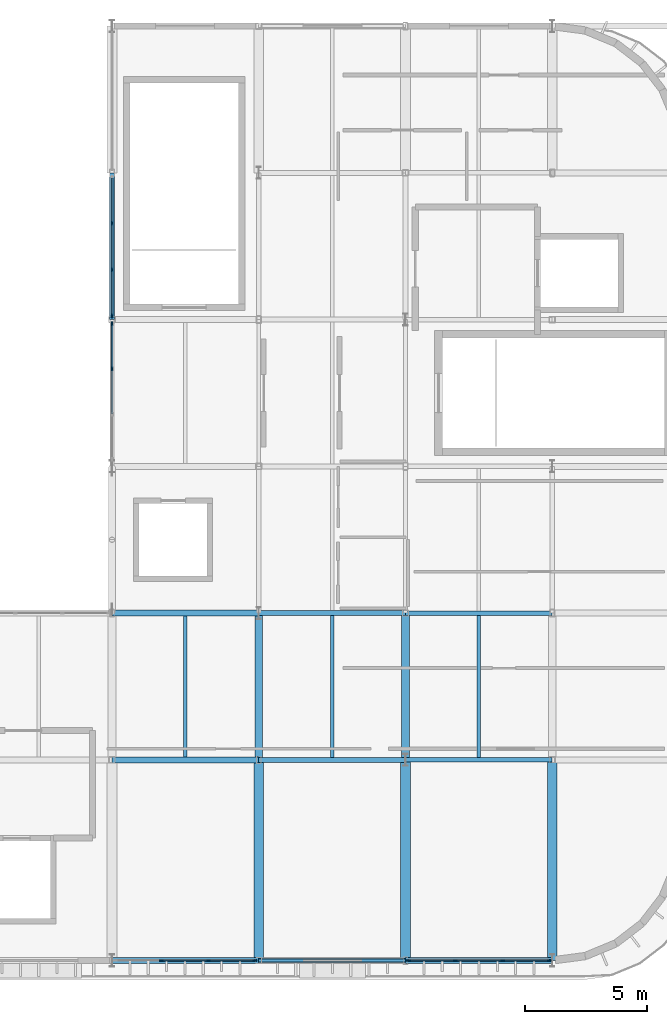
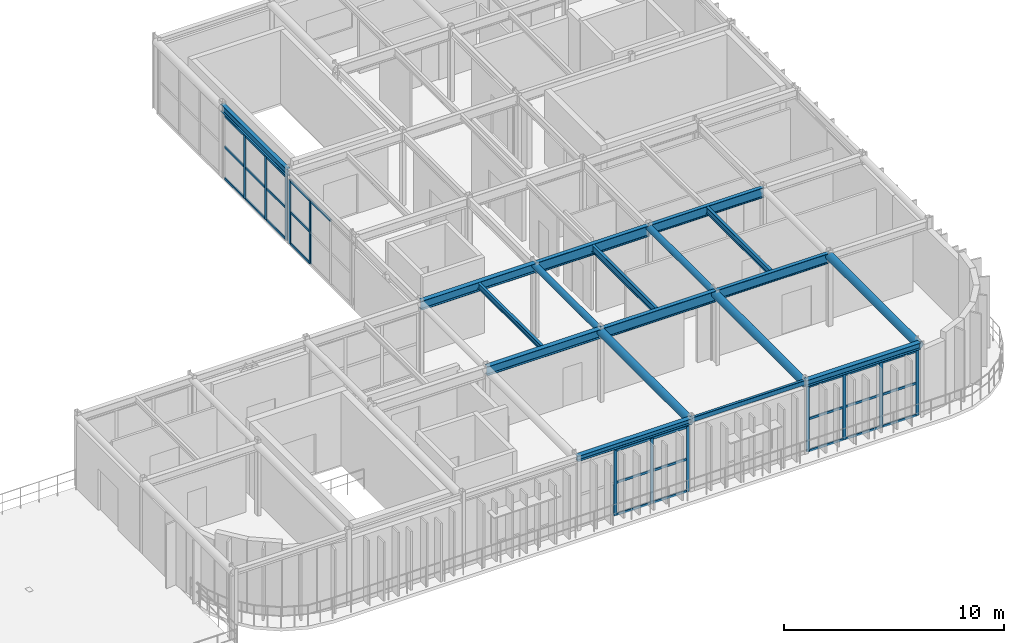
# One storey, part 5 of 14: 40 members, 18 beams, 4 elements without a shape of their own.
"""IFC4 building model written with IfcOpenShell, lengths in metres."""

from ifc_helpers import new_model, si_unit, direction, frame, origin, origin_2d, place, context, subcontext, project, spatial, rectangle, hollow_rectangle, hollow_circle, i_section, extrude, material, material_profile, profile_set, type_object, element, aggregate, save


model = new_model("IFC4")

# Units and contexts
model_context = context("Model", 3, precision=1e-05, world=origin(), true_north=direction((0.0, 1.0)))
body_context = subcontext(model_context, "Body", "Model", "MODEL_VIEW")
ifc_project = project(units=[si_unit("LENGTHUNIT", "METRE"), si_unit("AREAUNIT", "SQUARE_METRE"), si_unit("VOLUMEUNIT", "CUBIC_METRE"), si_unit("PLANEANGLEUNIT", "RADIAN"), si_unit("MASSUNIT", "GRAM", prefix="KILO")], contexts=[model_context])

# Site, building, storey
site_placement = place(None, origin())
site = spatial("IfcSite", under=ifc_project, at=site_placement, CompositionType="ELEMENT")
building_placement = place(site_placement, origin())
building = spatial("IfcBuilding", under=site, at=building_placement, Name="Varnakota Square Police Headquarters", CompositionType="ELEMENT")
storey_placement = place(building_placement, frame((0.0, 0.0, 30.0)))
storey = spatial("IfcBuildingStorey", under=building, at=storey_placement, Name="L07", CompositionType="ELEMENT", Elevation=30.0)

# Beams
ifc_material_1 = material(Name="Steel IS 2062 Grade 350", Category="steel")
ifc_material_profile_1 = material_profile(ifc_material_1, hollow_circle(Radius=0.161865234375, WallThickness=0.0126953125, at=origin_2d()), Name="CHS 323.9x12.7")
ifc_profile_set_1 = profile_set([ifc_material_profile_1], Name="Steel IS 2062 Grade 350")
beam_type_1 = type_object("IfcBeamType", Name="BM-ARC-CHS324", PredefinedType="BEAM", material=ifc_profile_set_1)
for number, where, z_axis, x_axis, name in (
    (1, (144.0, 9.0, 3.878173828125), (0.0, 1.0, 0.0), (-1.0, 0.0, 0.0), "BMG-L07-3434"),
    (2, (150.0, 9.0, 3.878173828125), (0.0, 1.0, 0.0), (-1.0, 0.0, 0.0), "BMG-L07-3440"),
):
    element("IfcBeam", number, at=place(storey_placement, frame(where, z_axis=z_axis, x_axis=x_axis)), inside=storey, type_object=beam_type_1, Name=name, PredefinedType="BEAM", context=body_context, shape_type="SweptSolid", body=[
        extrude(hollow_circle(Radius=0.161865234375, WallThickness=0.0126953125, at=origin_2d()), origin(), (0.0, 0.0, 1.0), 6.0),
    ])
ifc_material_profile_2 = material_profile(ifc_material_1, hollow_circle(Radius=0.203125, WallThickness=0.01611328125, at=origin_2d()), Name="CHS 406.4x16.0")
ifc_profile_set_2 = profile_set([ifc_material_profile_2], Name="Steel IS 2062 Grade 350")
beam_type_2 = type_object("IfcBeamType", Name="BM-ARC-CHS406", PredefinedType="BEAM", material=ifc_profile_set_2)
for number, where, z_axis, x_axis, name in (
    (3, (144.0, 0.800048828125, 3.8369140625), (0.0, 1.0, 0.0), (-1.0, 0.0, 0.0), "BMG-L07-3433"),
    (4, (150.0, 0.800048828125, 3.8369140625), (0.0, 1.0, 0.0), (-1.0, 0.0, 0.0), "BMG-L07-3439"),
    (5, (156.0, 0.800048828125, 3.8369140625), (0.0, 1.0, 0.0), (-1.0, 0.0, 0.0), "BMG-L07-3445"),
):
    element("IfcBeam", number, at=place(storey_placement, frame(where, z_axis=z_axis, x_axis=x_axis)), inside=storey, type_object=beam_type_2, Name=name, PredefinedType="BEAM", context=body_context, shape_type="SweptSolid", body=[
        extrude(hollow_circle(Radius=0.203125, WallThickness=0.01611328125, at=origin_2d()), origin(), (0.0, 0.0, 1.0), 8.199951171875),
    ])
ifc_material_profile_3 = material_profile(ifc_material_1, hollow_rectangle(XDim=0.14990234375, YDim=0.25, WallThickness=0.010009765625, InnerFilletRadius=0.010009765625, OuterFilletRadius=0.02001953125, at=origin_2d()), Name="RHS 250x150x10")
ifc_profile_set_3 = profile_set([ifc_material_profile_3], Name="Steel IS 2062 Grade 350")
beam_type_3 = type_object("IfcBeamType", Name="BM-CBEAM-RHS250", PredefinedType="BEAM", material=ifc_profile_set_3)
beam_1_placement = place(storey_placement, frame((144.0, 0.800048828125, 3.9150390625), z_axis=(1.0, 0.0, 0.0), x_axis=(0.0, 1.0, 0.0)))
element("IfcBeam", 6, at=beam_1_placement, inside=storey, type_object=beam_type_3, Name="BMG-L07-3391", PredefinedType="BEAM", context=body_context, shape_type="SweptSolid", body=[
    extrude(hollow_rectangle(XDim=0.14990234375, YDim=0.25, WallThickness=0.010009765625, InnerFilletRadius=0.010009765625, OuterFilletRadius=0.02001953125, at=origin_2d()), origin(), (0.0, 0.0, 1.0), 6.0),
])
ifc_material_profile_4 = material_profile(ifc_material_1, i_section(OverallWidth=0.25, OverallDepth=0.300048828125, WebThickness=0.009521484375, FlangeThickness=0.010498046875, FilletRadius=0.011962890625, at=origin_2d()), Name="ISHB 300")
ifc_profile_set_4 = profile_set([ifc_material_profile_4], Name="Steel IS 2062 Grade 350")
beam_type_4 = type_object("IfcBeamType", Name="BM-ISHB300", PredefinedType="BEAM", material=ifc_profile_set_4)
beam_2_placement = place(storey_placement, frame((138.0, 0.800048828125, 3.889892578125), z_axis=(1.0, 0.0, 0.0), x_axis=(0.0, 1.0, 0.0)))
element("IfcBeam", 7, at=beam_2_placement, inside=storey, type_object=beam_type_4, Name="BMG-L07-3390", PredefinedType="BEAM", context=body_context, shape_type="SweptSolid", body=[
    extrude(i_section(OverallWidth=0.25, OverallDepth=0.300048828125, WebThickness=0.009521484375, FlangeThickness=0.010498046875, FilletRadius=0.011962890625, at=origin_2d()), origin(), (0.0, 0.0, 1.0), 6.0),
])
ifc_material_profile_5 = material_profile(ifc_material_1, i_section(OverallWidth=0.25, OverallDepth=0.35009765625, WebThickness=0.010009765625, FlangeThickness=0.01171875, FilletRadius=0.011962890625, at=origin_2d()), Name="ISHB 350")
ifc_profile_set_5 = profile_set([ifc_material_profile_5], Name="Steel IS 2062 Grade 350")
beam_type_5 = type_object("IfcBeamType", Name="BM-ISHB350", PredefinedType="BEAM", material=ifc_profile_set_5)
beam_3_placement = place(storey_placement, frame((150.0, 0.800048828125, 3.864990234375), z_axis=(1.0, 0.0, 0.0), x_axis=(0.0, 1.0, 0.0)))
element("IfcBeam", 8, at=beam_3_placement, inside=storey, type_object=beam_type_5, Name="BMG-L07-3392", PredefinedType="BEAM", context=body_context, shape_type="SweptSolid", body=[
    extrude(i_section(OverallWidth=0.25, OverallDepth=0.35009765625, WebThickness=0.010009765625, FlangeThickness=0.01171875, FilletRadius=0.011962890625, at=origin_2d()), origin(), (0.0, 0.0, 1.0), 6.0),
])
ifc_material_profile_6 = material_profile(ifc_material_1, i_section(OverallWidth=0.139892578125, OverallDepth=0.300048828125, WebThickness=0.0078125, FlangeThickness=0.01318359375, FilletRadius=0.013916015625, at=origin_2d()), Name="ISMB 300")
ifc_profile_set_6 = profile_set([ifc_material_profile_6], Name="Steel IS 2062 Grade 350")
beam_type_6 = type_object("IfcBeamType", Name="BM-ISMB300", PredefinedType="JOIST", material=ifc_profile_set_6)
beam_4_placement = place(storey_placement, frame((141.0, 9.123046875, 3.889892578125), z_axis=(0.0, 1.0, 0.0), x_axis=(-1.0, 0.0, 0.0)))
element("IfcBeam", 9, at=beam_4_placement, inside=storey, type_object=beam_type_6, Name="BMG-L07-3456", PredefinedType="JOIST", context=body_context, shape_type="SweptSolid", body=[
    extrude(i_section(OverallWidth=0.139892578125, OverallDepth=0.300048828125, WebThickness=0.0078125, FlangeThickness=0.01318359375, FilletRadius=0.013916015625, at=origin_2d()), origin(), (0.0, 0.0, 1.0), 5.75390625),
])
ifc_material_profile_7 = material_profile(ifc_material_1, i_section(OverallWidth=0.139892578125, OverallDepth=0.35009765625, WebThickness=0.008056640625, FlangeThickness=0.01416015625, FilletRadius=0.013916015625, at=origin_2d()), Name="ISMB 350")
ifc_profile_set_7 = profile_set([ifc_material_profile_7], Name="Steel IS 2062 Grade 350")
beam_type_7 = type_object("IfcBeamType", Name="BM-ISMB350", PredefinedType="JOIST", material=ifc_profile_set_7)
beam_5_placement = place(storey_placement, frame((153.0, 9.093017578125, 3.864990234375), z_axis=(0.0, 1.0, 0.0), x_axis=(-1.0, 0.0, 0.0)))
element("IfcBeam", 10, at=beam_5_placement, inside=storey, type_object=beam_type_7, Name="BMG-L07-3463", PredefinedType="JOIST", context=body_context, shape_type="SweptSolid", body=[
    extrude(i_section(OverallWidth=0.139892578125, OverallDepth=0.35009765625, WebThickness=0.008056640625, FlangeThickness=0.01416015625, FilletRadius=0.013916015625, at=origin_2d()), origin(), (0.0, 0.0, 1.0), 5.81396484375),
])
ifc_material_profile_8 = material_profile(ifc_material_1, i_section(OverallWidth=0.139892578125, OverallDepth=0.39990234375, WebThickness=0.0087890625, FlangeThickness=0.01611328125, FilletRadius=0.013916015625, at=origin_2d()), Name="ISMB 400")
ifc_profile_set_8 = profile_set([ifc_material_profile_8], Name="Steel IS 2062 Grade 350")
beam_type_8 = type_object("IfcBeamType", Name="BM-ISMB400", PredefinedType="JOIST", material=ifc_profile_set_8)
beam_6_placement = place(storey_placement, frame((147.0, 9.10302734375, 3.840087890625), z_axis=(0.0, 1.0, 0.0), x_axis=(-1.0, 0.0, 0.0)))
element("IfcBeam", 11, at=beam_6_placement, inside=storey, type_object=beam_type_8, Name="BMG-L07-3458", PredefinedType="JOIST", context=body_context, shape_type="SweptSolid", body=[
    extrude(i_section(OverallWidth=0.139892578125, OverallDepth=0.39990234375, WebThickness=0.0087890625, FlangeThickness=0.01611328125, FilletRadius=0.013916015625, at=origin_2d()), origin(), (0.0, 0.0, 1.0), 5.7939453125),
])
ifc_material_profile_9 = material_profile(ifc_material_1, i_section(OverallWidth=0.18994140625, OverallDepth=0.550048828125, WebThickness=0.01123046875, FlangeThickness=0.019287109375, FilletRadius=0.01806640625, at=origin_2d()), Name="ISMB 550")
ifc_profile_set_9 = profile_set([ifc_material_profile_9], Name="Steel IS 2062 Grade 350")
beam_type_9 = type_object("IfcBeamType", Name="BM-ISMB550", PredefinedType="BEAM", material=ifc_profile_set_9)
for number, where, z_axis, x_axis, name in (
    (12, (150.0, 9.0, 3.764892578125), (1.0, 0.0, 0.0), (0.0, 1.0, 0.0), "BMG-L07-3397"),
    (13, (150.0, 15.0, 3.764892578125), (1.0, 0.0, 0.0), (0.0, 1.0, 0.0), "BMG-L07-3404"),
):
    element("IfcBeam", number, at=place(storey_placement, frame(where, z_axis=z_axis, x_axis=x_axis)), inside=storey, type_object=beam_type_9, Name=name, PredefinedType="BEAM", context=body_context, shape_type="SweptSolid", body=[
        extrude(i_section(OverallWidth=0.18994140625, OverallDepth=0.550048828125, WebThickness=0.01123046875, FlangeThickness=0.019287109375, FilletRadius=0.01806640625, at=origin_2d()), origin(), (0.0, 0.0, 1.0), 6.0),
    ])
ifc_material_profile_10 = material_profile(ifc_material_1, i_section(OverallWidth=0.2099609375, OverallDepth=0.60009765625, WebThickness=0.011962890625, FlangeThickness=0.020751953125, FilletRadius=0.02001953125, at=origin_2d()), Name="ISMB 600")
ifc_profile_set_10 = profile_set([ifc_material_profile_10], Name="Steel IS 2062 Grade 350")
beam_type_10 = type_object("IfcBeamType", Name="BM-ISMB600", PredefinedType="BEAM", material=ifc_profile_set_10)
for number, where, z_axis, x_axis, name in (
    (14, (144.0, 9.0, 3.739990234375), (1.0, 0.0, 0.0), (0.0, 1.0, 0.0), "BMG-L07-3396"),
    (15, (144.0, 15.0, 3.739990234375), (1.0, 0.0, 0.0), (0.0, 1.0, 0.0), "BMG-L07-3403"),
):
    element("IfcBeam", number, at=place(storey_placement, frame(where, z_axis=z_axis, x_axis=x_axis)), inside=storey, type_object=beam_type_10, Name=name, PredefinedType="BEAM", context=body_context, shape_type="SweptSolid", body=[
        extrude(i_section(OverallWidth=0.2099609375, OverallDepth=0.60009765625, WebThickness=0.011962890625, FlangeThickness=0.020751953125, FilletRadius=0.02001953125, at=origin_2d()), origin(), (0.0, 0.0, 1.0), 6.0),
    ])
ifc_material_profile_11 = material_profile(ifc_material_1, i_section(OverallWidth=0.199951171875, OverallDepth=0.39990234375, WebThickness=0.008544921875, FlangeThickness=0.012939453125, FilletRadius=0.012939453125, at=origin_2d()), Name="ISWB 400")
ifc_profile_set_11 = profile_set([ifc_material_profile_11], Name="Steel IS 2062 Grade 350")
beam_type_11 = type_object("IfcBeamType", Name="BM-ISWB400", PredefinedType="BEAM", material=ifc_profile_set_11)
beam_7_placement = place(storey_placement, frame((138.0, 27.0, 3.840087890625), z_axis=(0.0, 1.0, 0.0), x_axis=(-1.0, 0.0, 0.0)))
element("IfcBeam", 16, at=beam_7_placement, inside=storey, type_object=beam_type_11, Name="BMG-L07-3431", PredefinedType="BEAM", context=body_context, shape_type="SweptSolid", body=[
    extrude(i_section(OverallWidth=0.199951171875, OverallDepth=0.39990234375, WebThickness=0.008544921875, FlangeThickness=0.012939453125, FilletRadius=0.012939453125, at=origin_2d()), origin(), (0.0, 0.0, 1.0), 6.0),
])
ifc_material_profile_12 = material_profile(ifc_material_1, i_section(OverallWidth=0.25, OverallDepth=0.5, WebThickness=0.010009765625, FlangeThickness=0.0146484375, FilletRadius=0.014892578125, at=origin_2d()), Name="ISWB 500")
ifc_profile_set_12 = profile_set([ifc_material_profile_12], Name="Steel IS 2062 Grade 350")
beam_type_12 = type_object("IfcBeamType", Name="BM-ISWB500", PredefinedType="BEAM", material=ifc_profile_set_12)
for number, where, z_axis, x_axis, name in (
    (17, (138.0, 9.0, 3.7900390625), (1.0, 0.0, 0.0), (0.0, 1.0, 0.0), "BMG-L07-3395"),
    (18, (138.0, 15.0, 3.7900390625), (1.0, 0.0, 0.0), (0.0, 1.0, 0.0), "BMG-L07-3402"),
):
    element("IfcBeam", number, at=place(storey_placement, frame(where, z_axis=z_axis, x_axis=x_axis)), inside=storey, type_object=beam_type_12, Name=name, PredefinedType="BEAM", context=body_context, shape_type="SweptSolid", body=[
        extrude(i_section(OverallWidth=0.25, OverallDepth=0.5, WebThickness=0.010009765625, FlangeThickness=0.0146484375, FilletRadius=0.014892578125, at=origin_2d()), origin(), (0.0, 0.0, 1.0), 6.0),
    ])

# Curtain wall, members
ifc_material_2 = material(Name="Anodised Aluminium Framing", Category="aluminium")
curtain_wall_type_1 = type_object("IfcCurtainWallType", Name="CW-SYS-F", PredefinedType="NOTDEFINED", material=ifc_material_2)
curtain_wall_1_placement = place(storey_placement, origin())
curtain_wall_1 = element("IfcCurtainWall", 19, at=curtain_wall_1_placement, inside=storey, type_object=curtain_wall_type_1, Name="Unitised curtain wall CWG-L07-120", PredefinedType="NOTDEFINED")
ifc_material_3 = material(Name="Anodised Aluminium 6063-T6", Category="aluminium")
ifc_material_profile_13 = material_profile(ifc_material_3, rectangle(XDim=0.06494140625, YDim=0.159912109375, at=origin_2d()), Name="ALU MULLION 65x160")
ifc_profile_set_13 = profile_set([ifc_material_profile_13], Name="Anodised Aluminium 6063-T6")
member_type_1 = type_object("IfcMemberType", Name="CWM-150", PredefinedType="MULLION", material=ifc_profile_set_13)
member_1_placement = place(storey_placement, frame((140.02001953125, 0.800048828125, 0.0), z_axis=(0.0, 0.0, 1.0), x_axis=(0.0, 1.0, 0.0)))
member_1 = element("IfcMember", 20, at=member_1_placement, type_object=member_type_1, Name="CWG-L07-120 mullion 2", PredefinedType="MULLION", context=body_context, shape_type="SweptSolid", body=[
    extrude(rectangle(XDim=0.06494140625, YDim=0.159912109375, at=origin_2d()), origin(), (0.0, 0.0, 1.0), 3.62353515625),
])
member_2_placement = place(storey_placement, frame((141.945068359375, 0.800048828125, 0.0), z_axis=(0.0, 0.0, 1.0), x_axis=(0.0, 1.0, 0.0)))
member_2 = element("IfcMember", 21, at=member_2_placement, type_object=member_type_1, Name="CWG-L07-120 mullion 3", PredefinedType="MULLION", context=body_context, shape_type="SweptSolid", body=[
    extrude(rectangle(XDim=0.06494140625, YDim=0.159912109375, at=origin_2d()), origin(), (0.0, 0.0, 1.0), 3.62353515625),
])
member_3_placement = place(storey_placement, frame((143.83740234375, 0.800048828125, 0.0), z_axis=(0.0, 0.0, 1.0), x_axis=(0.0, 1.0, 0.0)))
member_3 = element("IfcMember", 22, at=member_3_placement, type_object=member_type_1, Name="CWG-L07-120 mullion 4", PredefinedType="MULLION", context=body_context, shape_type="SweptSolid", body=[
    extrude(rectangle(XDim=0.06494140625, YDim=0.159912109375, at=origin_2d()), origin(), (0.0, 0.0, 1.0), 3.62353515625),
])

curtain_wall_2_placement = place(storey_placement, origin())
curtain_wall_2 = element("IfcCurtainWall", 23, at=curtain_wall_2_placement, inside=storey, type_object=curtain_wall_type_1, Name="Unitised curtain wall CWG-L07-121", PredefinedType="NOTDEFINED")
member_4_placement = place(storey_placement, frame((150.137451171875, 0.800048828125, 0.0), z_axis=(0.0, 0.0, 1.0), x_axis=(0.0, 1.0, 0.0)))
member_4 = element("IfcMember", 24, at=member_4_placement, type_object=member_type_1, Name="CWG-L07-121 mullion 1", PredefinedType="MULLION", context=body_context, shape_type="SweptSolid", body=[
    extrude(rectangle(XDim=0.06494140625, YDim=0.159912109375, at=origin_2d()), origin(), (0.0, 0.0, 1.0), 3.62353515625),
])
member_5_placement = place(storey_placement, frame((152.038330078125, 0.800048828125, 0.0), z_axis=(0.0, 0.0, 1.0), x_axis=(0.0, 1.0, 0.0)))
member_5 = element("IfcMember", 25, at=member_5_placement, type_object=member_type_1, Name="CWG-L07-121 mullion 2", PredefinedType="MULLION", context=body_context, shape_type="SweptSolid", body=[
    extrude(rectangle(XDim=0.06494140625, YDim=0.159912109375, at=origin_2d()), origin(), (0.0, 0.0, 1.0), 3.62353515625),
])
member_6_placement = place(storey_placement, frame((153.9716796875, 0.800048828125, 0.0), z_axis=(0.0, 0.0, 1.0), x_axis=(0.0, 1.0, 0.0)))
member_6 = element("IfcMember", 26, at=member_6_placement, type_object=member_type_1, Name="CWG-L07-121 mullion 3", PredefinedType="MULLION", context=body_context, shape_type="SweptSolid", body=[
    extrude(rectangle(XDim=0.06494140625, YDim=0.159912109375, at=origin_2d()), origin(), (0.0, 0.0, 1.0), 3.62353515625),
])
member_7_placement = place(storey_placement, frame((155.87255859375, 0.800048828125, 0.0), z_axis=(0.0, 0.0, 1.0), x_axis=(0.0, 1.0, 0.0)))
member_7 = element("IfcMember", 27, at=member_7_placement, type_object=member_type_1, Name="CWG-L07-121 mullion 4", PredefinedType="MULLION", context=body_context, shape_type="SweptSolid", body=[
    extrude(rectangle(XDim=0.06494140625, YDim=0.159912109375, at=origin_2d()), origin(), (0.0, 0.0, 1.0), 3.62353515625),
])

curtain_wall_type_2 = type_object("IfcCurtainWallType", Name="CW-SYS-E", PredefinedType="NOTDEFINED", material=ifc_material_2)
curtain_wall_3_placement = place(storey_placement, origin())
curtain_wall_3 = element("IfcCurtainWall", 28, at=curtain_wall_3_placement, inside=storey, type_object=curtain_wall_type_2, Name="Unitised curtain wall CWG-L07-124", PredefinedType="NOTDEFINED")
member_8_placement = place(storey_placement, frame((138.0, 24.998291015625, 0.0), z_axis=(0.0, 0.0, 1.0), x_axis=(-1.0, 0.0, 0.0)))
member_8 = element("IfcMember", 29, at=member_8_placement, type_object=member_type_1, Name="CWG-L07-124 mullion 3", PredefinedType="MULLION", context=body_context, shape_type="SweptSolid", body=[
    extrude(rectangle(XDim=0.06494140625, YDim=0.159912109375, at=origin_2d()), origin(), (0.0, 0.0, 1.0), 3.530029296875),
])
member_9_placement = place(storey_placement, frame((138.0, 26.83740234375, 0.0), z_axis=(0.0, 0.0, 1.0), x_axis=(-1.0, 0.0, 0.0)))
member_9 = element("IfcMember", 30, at=member_9_placement, type_object=member_type_1, Name="CWG-L07-124 mullion 4", PredefinedType="MULLION", context=body_context, shape_type="SweptSolid", body=[
    extrude(rectangle(XDim=0.06494140625, YDim=0.159912109375, at=origin_2d()), origin(), (0.0, 0.0, 1.0), 3.530029296875),
])

curtain_wall_4_placement = place(storey_placement, origin())
curtain_wall_4 = element("IfcCurtainWall", 31, at=curtain_wall_4_placement, inside=storey, type_object=curtain_wall_type_2, Name="Unitised curtain wall CWG-L07-125", PredefinedType="NOTDEFINED")
member_10_placement = place(storey_placement, frame((138.0, 27.16259765625, 0.0), z_axis=(0.0, 0.0, 1.0), x_axis=(-1.0, 0.0, 0.0)))
member_10 = element("IfcMember", 32, at=member_10_placement, type_object=member_type_1, Name="CWG-L07-125 mullion 1", PredefinedType="MULLION", context=body_context, shape_type="SweptSolid", body=[
    extrude(rectangle(XDim=0.06494140625, YDim=0.159912109375, at=origin_2d()), origin(), (0.0, 0.0, 1.0), 3.530029296875),
])
member_11_placement = place(storey_placement, frame((138.0, 29.034912109375, 0.0), z_axis=(0.0, 0.0, 1.0), x_axis=(-1.0, 0.0, 0.0)))
member_11 = element("IfcMember", 33, at=member_11_placement, type_object=member_type_1, Name="CWG-L07-125 mullion 2", PredefinedType="MULLION", context=body_context, shape_type="SweptSolid", body=[
    extrude(rectangle(XDim=0.06494140625, YDim=0.159912109375, at=origin_2d()), origin(), (0.0, 0.0, 1.0), 3.530029296875),
])
member_12_placement = place(storey_placement, frame((138.0, 30.93994140625, 0.0), z_axis=(0.0, 0.0, 1.0), x_axis=(-1.0, 0.0, 0.0)))
member_12 = element("IfcMember", 34, at=member_12_placement, type_object=member_type_1, Name="CWG-L07-125 mullion 3", PredefinedType="MULLION", context=body_context, shape_type="SweptSolid", body=[
    extrude(rectangle(XDim=0.06494140625, YDim=0.159912109375, at=origin_2d()), origin(), (0.0, 0.0, 1.0), 3.530029296875),
])

# Member
ifc_material_profile_14 = material_profile(ifc_material_3, rectangle(XDim=0.06494140625, YDim=0.1298828125, at=origin_2d()), Name="ALU TRANSOM 65x130")
ifc_profile_set_14 = profile_set([ifc_material_profile_14], Name="Anodised Aluminium 6063-T6")
member_type_2 = type_object("IfcMemberType", Name="CWT-120", PredefinedType="USERDEFINED", material=ifc_profile_set_14)
member_13_placement = place(storey_placement, frame((140.052490234375, 0.800048828125, 0.032470703125), z_axis=(1.0, 0.0, 0.0), x_axis=(0.0, 1.0, 0.0)))
member_13 = element("IfcMember", 35, at=member_13_placement, type_object=member_type_2, Name="CWG-L07-120 transom 2.1", ObjectType="TRANSOM", PredefinedType="USERDEFINED", context=body_context, shape_type="SweptSolid", body=[
    extrude(rectangle(XDim=0.06494140625, YDim=0.1298828125, at=origin_2d()), origin(), (0.0, 0.0, 1.0), 1.860107421875),
])

member_14_placement = place(storey_placement, frame((140.052490234375, 0.800048828125, 1.811767578125), z_axis=(1.0, 0.0, 0.0), x_axis=(0.0, 1.0, 0.0)))
member_14 = element("IfcMember", 36, at=member_14_placement, type_object=member_type_2, Name="CWG-L07-120 transom 2.2", ObjectType="TRANSOM", PredefinedType="USERDEFINED", context=body_context, shape_type="SweptSolid", body=[
    extrude(rectangle(XDim=0.06494140625, YDim=0.1298828125, at=origin_2d()), origin(), (0.0, 0.0, 1.0), 1.860107421875),
])

member_15_placement = place(storey_placement, frame((140.052490234375, 0.800048828125, 3.591064453125), z_axis=(1.0, 0.0, 0.0), x_axis=(0.0, 1.0, 0.0)))
member_15 = element("IfcMember", 37, at=member_15_placement, type_object=member_type_2, Name="CWG-L07-120 transom 2.3", ObjectType="TRANSOM", PredefinedType="USERDEFINED", context=body_context, shape_type="SweptSolid", body=[
    extrude(rectangle(XDim=0.06494140625, YDim=0.1298828125, at=origin_2d()), origin(), (0.0, 0.0, 1.0), 1.860107421875),
])

member_16_placement = place(storey_placement, frame((141.9775390625, 0.800048828125, 0.032470703125), z_axis=(1.0, 0.0, 0.0), x_axis=(0.0, 1.0, 0.0)))
member_16 = element("IfcMember", 38, at=member_16_placement, type_object=member_type_2, Name="CWG-L07-120 transom 3.1", ObjectType="TRANSOM", PredefinedType="USERDEFINED", context=body_context, shape_type="SweptSolid", body=[
    extrude(rectangle(XDim=0.06494140625, YDim=0.1298828125, at=origin_2d()), origin(), (0.0, 0.0, 1.0), 1.827392578125),
])

member_17_placement = place(storey_placement, frame((141.9775390625, 0.800048828125, 1.811767578125), z_axis=(1.0, 0.0, 0.0), x_axis=(0.0, 1.0, 0.0)))
member_17 = element("IfcMember", 39, at=member_17_placement, type_object=member_type_2, Name="CWG-L07-120 transom 3.2", ObjectType="TRANSOM", PredefinedType="USERDEFINED", context=body_context, shape_type="SweptSolid", body=[
    extrude(rectangle(XDim=0.06494140625, YDim=0.1298828125, at=origin_2d()), origin(), (0.0, 0.0, 1.0), 1.827392578125),
])

member_18_placement = place(storey_placement, frame((141.9775390625, 0.800048828125, 3.591064453125), z_axis=(1.0, 0.0, 0.0), x_axis=(0.0, 1.0, 0.0)))
member_18 = element("IfcMember", 40, at=member_18_placement, type_object=member_type_2, Name="CWG-L07-120 transom 3.3", ObjectType="TRANSOM", PredefinedType="USERDEFINED", context=body_context, shape_type="SweptSolid", body=[
    extrude(rectangle(XDim=0.06494140625, YDim=0.1298828125, at=origin_2d()), origin(), (0.0, 0.0, 1.0), 1.827392578125),
])

aggregate(curtain_wall_1, [member_1, member_2, member_3, member_13, member_14, member_15, member_16, member_17, member_18])

member_19_placement = place(storey_placement, frame((150.169921875, 0.800048828125, 0.032470703125), z_axis=(1.0, 0.0, 0.0), x_axis=(0.0, 1.0, 0.0)))
member_19 = element("IfcMember", 41, at=member_19_placement, type_object=member_type_2, Name="CWG-L07-121 transom 1.1", ObjectType="TRANSOM", PredefinedType="USERDEFINED", context=body_context, shape_type="SweptSolid", body=[
    extrude(rectangle(XDim=0.06494140625, YDim=0.1298828125, at=origin_2d()), origin(), (0.0, 0.0, 1.0), 1.8359375),
])

member_20_placement = place(storey_placement, frame((150.169921875, 0.800048828125, 1.811767578125), z_axis=(1.0, 0.0, 0.0), x_axis=(0.0, 1.0, 0.0)))
member_20 = element("IfcMember", 42, at=member_20_placement, type_object=member_type_2, Name="CWG-L07-121 transom 1.2", ObjectType="TRANSOM", PredefinedType="USERDEFINED", context=body_context, shape_type="SweptSolid", body=[
    extrude(rectangle(XDim=0.06494140625, YDim=0.1298828125, at=origin_2d()), origin(), (0.0, 0.0, 1.0), 1.8359375),
])

member_21_placement = place(storey_placement, frame((150.169921875, 0.800048828125, 3.591064453125), z_axis=(1.0, 0.0, 0.0), x_axis=(0.0, 1.0, 0.0)))
member_21 = element("IfcMember", 43, at=member_21_placement, type_object=member_type_2, Name="CWG-L07-121 transom 1.3", ObjectType="TRANSOM", PredefinedType="USERDEFINED", context=body_context, shape_type="SweptSolid", body=[
    extrude(rectangle(XDim=0.06494140625, YDim=0.1298828125, at=origin_2d()), origin(), (0.0, 0.0, 1.0), 1.8359375),
])

member_22_placement = place(storey_placement, frame((152.07080078125, 0.800048828125, 0.032470703125), z_axis=(1.0, 0.0, 0.0), x_axis=(0.0, 1.0, 0.0)))
member_22 = element("IfcMember", 44, at=member_22_placement, type_object=member_type_2, Name="CWG-L07-121 transom 2.1", ObjectType="TRANSOM", PredefinedType="USERDEFINED", context=body_context, shape_type="SweptSolid", body=[
    extrude(rectangle(XDim=0.06494140625, YDim=0.1298828125, at=origin_2d()), origin(), (0.0, 0.0, 1.0), 1.868408203125),
])

member_23_placement = place(storey_placement, frame((152.07080078125, 0.800048828125, 1.811767578125), z_axis=(1.0, 0.0, 0.0), x_axis=(0.0, 1.0, 0.0)))
member_23 = element("IfcMember", 45, at=member_23_placement, type_object=member_type_2, Name="CWG-L07-121 transom 2.2", ObjectType="TRANSOM", PredefinedType="USERDEFINED", context=body_context, shape_type="SweptSolid", body=[
    extrude(rectangle(XDim=0.06494140625, YDim=0.1298828125, at=origin_2d()), origin(), (0.0, 0.0, 1.0), 1.868408203125),
])

member_24_placement = place(storey_placement, frame((152.07080078125, 0.800048828125, 3.591064453125), z_axis=(1.0, 0.0, 0.0), x_axis=(0.0, 1.0, 0.0)))
member_24 = element("IfcMember", 46, at=member_24_placement, type_object=member_type_2, Name="CWG-L07-121 transom 2.3", ObjectType="TRANSOM", PredefinedType="USERDEFINED", context=body_context, shape_type="SweptSolid", body=[
    extrude(rectangle(XDim=0.06494140625, YDim=0.1298828125, at=origin_2d()), origin(), (0.0, 0.0, 1.0), 1.868408203125),
])

member_25_placement = place(storey_placement, frame((154.004150390625, 0.800048828125, 0.032470703125), z_axis=(1.0, 0.0, 0.0), x_axis=(0.0, 1.0, 0.0)))
member_25 = element("IfcMember", 47, at=member_25_placement, type_object=member_type_2, Name="CWG-L07-121 transom 3.1", ObjectType="TRANSOM", PredefinedType="USERDEFINED", context=body_context, shape_type="SweptSolid", body=[
    extrude(rectangle(XDim=0.06494140625, YDim=0.1298828125, at=origin_2d()), origin(), (0.0, 0.0, 1.0), 1.8359375),
])

member_26_placement = place(storey_placement, frame((154.004150390625, 0.800048828125, 1.811767578125), z_axis=(1.0, 0.0, 0.0), x_axis=(0.0, 1.0, 0.0)))
member_26 = element("IfcMember", 48, at=member_26_placement, type_object=member_type_2, Name="CWG-L07-121 transom 3.2", ObjectType="TRANSOM", PredefinedType="USERDEFINED", context=body_context, shape_type="SweptSolid", body=[
    extrude(rectangle(XDim=0.06494140625, YDim=0.1298828125, at=origin_2d()), origin(), (0.0, 0.0, 1.0), 1.8359375),
])

member_27_placement = place(storey_placement, frame((154.004150390625, 0.800048828125, 3.591064453125), z_axis=(1.0, 0.0, 0.0), x_axis=(0.0, 1.0, 0.0)))
member_27 = element("IfcMember", 49, at=member_27_placement, type_object=member_type_2, Name="CWG-L07-121 transom 3.3", ObjectType="TRANSOM", PredefinedType="USERDEFINED", context=body_context, shape_type="SweptSolid", body=[
    extrude(rectangle(XDim=0.06494140625, YDim=0.1298828125, at=origin_2d()), origin(), (0.0, 0.0, 1.0), 1.8359375),
])

aggregate(curtain_wall_2, [member_4, member_5, member_6, member_7, member_19, member_20, member_21, member_22, member_23, member_24, member_25, member_26, member_27])

member_28_placement = place(storey_placement, frame((138.0, 23.1591796875, 3.49755859375), z_axis=(0.0, 1.0, 0.0), x_axis=(-1.0, 0.0, 0.0)))
member_28 = element("IfcMember", 50, at=member_28_placement, type_object=member_type_2, Name="CWG-L07-124 transom 2.3", ObjectType="TRANSOM", PredefinedType="USERDEFINED", context=body_context, shape_type="SweptSolid", body=[
    extrude(rectangle(XDim=0.06494140625, YDim=0.1298828125, at=origin_2d()), origin(), (0.0, 0.0, 1.0), 1.806640625),
])

member_29_placement = place(storey_placement, frame((138.0, 25.03076171875, 0.032470703125), z_axis=(0.0, 1.0, 0.0), x_axis=(-1.0, 0.0, 0.0)))
member_29 = element("IfcMember", 51, at=member_29_placement, type_object=member_type_2, Name="CWG-L07-124 transom 3.1", ObjectType="TRANSOM", PredefinedType="USERDEFINED", context=body_context, shape_type="SweptSolid", body=[
    extrude(rectangle(XDim=0.06494140625, YDim=0.1298828125, at=origin_2d()), origin(), (0.0, 0.0, 1.0), 1.774169921875),
])

member_30_placement = place(storey_placement, frame((138.0, 25.03076171875, 1.764892578125), z_axis=(0.0, 1.0, 0.0), x_axis=(-1.0, 0.0, 0.0)))
member_30 = element("IfcMember", 52, at=member_30_placement, type_object=member_type_2, Name="CWG-L07-124 transom 3.2", ObjectType="TRANSOM", PredefinedType="USERDEFINED", context=body_context, shape_type="SweptSolid", body=[
    extrude(rectangle(XDim=0.06494140625, YDim=0.1298828125, at=origin_2d()), origin(), (0.0, 0.0, 1.0), 1.774169921875),
])

member_31_placement = place(storey_placement, frame((138.0, 25.03076171875, 3.49755859375), z_axis=(0.0, 1.0, 0.0), x_axis=(-1.0, 0.0, 0.0)))
member_31 = element("IfcMember", 53, at=member_31_placement, type_object=member_type_2, Name="CWG-L07-124 transom 3.3", ObjectType="TRANSOM", PredefinedType="USERDEFINED", context=body_context, shape_type="SweptSolid", body=[
    extrude(rectangle(XDim=0.06494140625, YDim=0.1298828125, at=origin_2d()), origin(), (0.0, 0.0, 1.0), 1.774169921875),
])

aggregate(curtain_wall_3, [member_8, member_9, member_28, member_29, member_30, member_31])

member_32_placement = place(storey_placement, frame((138.0, 27.195068359375, 0.032470703125), z_axis=(0.0, 1.0, 0.0), x_axis=(-1.0, 0.0, 0.0)))
member_32 = element("IfcMember", 54, at=member_32_placement, type_object=member_type_2, Name="CWG-L07-125 transom 1.1", ObjectType="TRANSOM", PredefinedType="USERDEFINED", context=body_context, shape_type="SweptSolid", body=[
    extrude(rectangle(XDim=0.06494140625, YDim=0.1298828125, at=origin_2d()), origin(), (0.0, 0.0, 1.0), 1.807373046875),
])

member_33_placement = place(storey_placement, frame((138.0, 27.195068359375, 1.764892578125), z_axis=(0.0, 1.0, 0.0), x_axis=(-1.0, 0.0, 0.0)))
member_33 = element("IfcMember", 55, at=member_33_placement, type_object=member_type_2, Name="CWG-L07-125 transom 1.2", ObjectType="TRANSOM", PredefinedType="USERDEFINED", context=body_context, shape_type="SweptSolid", body=[
    extrude(rectangle(XDim=0.06494140625, YDim=0.1298828125, at=origin_2d()), origin(), (0.0, 0.0, 1.0), 1.807373046875),
])

member_34_placement = place(storey_placement, frame((138.0, 27.195068359375, 3.49755859375), z_axis=(0.0, 1.0, 0.0), x_axis=(-1.0, 0.0, 0.0)))
member_34 = element("IfcMember", 56, at=member_34_placement, type_object=member_type_2, Name="CWG-L07-125 transom 1.3", ObjectType="TRANSOM", PredefinedType="USERDEFINED", context=body_context, shape_type="SweptSolid", body=[
    extrude(rectangle(XDim=0.06494140625, YDim=0.1298828125, at=origin_2d()), origin(), (0.0, 0.0, 1.0), 1.807373046875),
])

member_35_placement = place(storey_placement, frame((138.0, 29.0673828125, 0.032470703125), z_axis=(0.0, 1.0, 0.0), x_axis=(-1.0, 0.0, 0.0)))
member_35 = element("IfcMember", 57, at=member_35_placement, type_object=member_type_2, Name="CWG-L07-125 transom 2.1", ObjectType="TRANSOM", PredefinedType="USERDEFINED", context=body_context, shape_type="SweptSolid", body=[
    extrude(rectangle(XDim=0.06494140625, YDim=0.1298828125, at=origin_2d()), origin(), (0.0, 0.0, 1.0), 1.840087890625),
])

member_36_placement = place(storey_placement, frame((138.0, 29.0673828125, 1.764892578125), z_axis=(0.0, 1.0, 0.0), x_axis=(-1.0, 0.0, 0.0)))
member_36 = element("IfcMember", 58, at=member_36_placement, type_object=member_type_2, Name="CWG-L07-125 transom 2.2", ObjectType="TRANSOM", PredefinedType="USERDEFINED", context=body_context, shape_type="SweptSolid", body=[
    extrude(rectangle(XDim=0.06494140625, YDim=0.1298828125, at=origin_2d()), origin(), (0.0, 0.0, 1.0), 1.840087890625),
])

member_37_placement = place(storey_placement, frame((138.0, 29.0673828125, 3.49755859375), z_axis=(0.0, 1.0, 0.0), x_axis=(-1.0, 0.0, 0.0)))
member_37 = element("IfcMember", 59, at=member_37_placement, type_object=member_type_2, Name="CWG-L07-125 transom 2.3", ObjectType="TRANSOM", PredefinedType="USERDEFINED", context=body_context, shape_type="SweptSolid", body=[
    extrude(rectangle(XDim=0.06494140625, YDim=0.1298828125, at=origin_2d()), origin(), (0.0, 0.0, 1.0), 1.840087890625),
])

member_38_placement = place(storey_placement, frame((138.0, 30.972412109375, 0.032470703125), z_axis=(0.0, 1.0, 0.0), x_axis=(-1.0, 0.0, 0.0)))
member_38 = element("IfcMember", 60, at=member_38_placement, type_object=member_type_2, Name="CWG-L07-125 transom 3.1", ObjectType="TRANSOM", PredefinedType="USERDEFINED", context=body_context, shape_type="SweptSolid", body=[
    extrude(rectangle(XDim=0.06494140625, YDim=0.1298828125, at=origin_2d()), origin(), (0.0, 0.0, 1.0), 1.8076171875),
])

member_39_placement = place(storey_placement, frame((138.0, 30.972412109375, 1.764892578125), z_axis=(0.0, 1.0, 0.0), x_axis=(-1.0, 0.0, 0.0)))
member_39 = element("IfcMember", 61, at=member_39_placement, type_object=member_type_2, Name="CWG-L07-125 transom 3.2", ObjectType="TRANSOM", PredefinedType="USERDEFINED", context=body_context, shape_type="SweptSolid", body=[
    extrude(rectangle(XDim=0.06494140625, YDim=0.1298828125, at=origin_2d()), origin(), (0.0, 0.0, 1.0), 1.8076171875),
])

member_40_placement = place(storey_placement, frame((138.0, 30.972412109375, 3.49755859375), z_axis=(0.0, 1.0, 0.0), x_axis=(-1.0, 0.0, 0.0)))
member_40 = element("IfcMember", 62, at=member_40_placement, type_object=member_type_2, Name="CWG-L07-125 transom 3.3", ObjectType="TRANSOM", PredefinedType="USERDEFINED", context=body_context, shape_type="SweptSolid", body=[
    extrude(rectangle(XDim=0.06494140625, YDim=0.1298828125, at=origin_2d()), origin(), (0.0, 0.0, 1.0), 1.8076171875),
])

aggregate(curtain_wall_4, [member_10, member_11, member_12, member_32, member_33, member_34, member_35, member_36, member_37, member_38, member_39, member_40])

save(model, "model.ifc")
